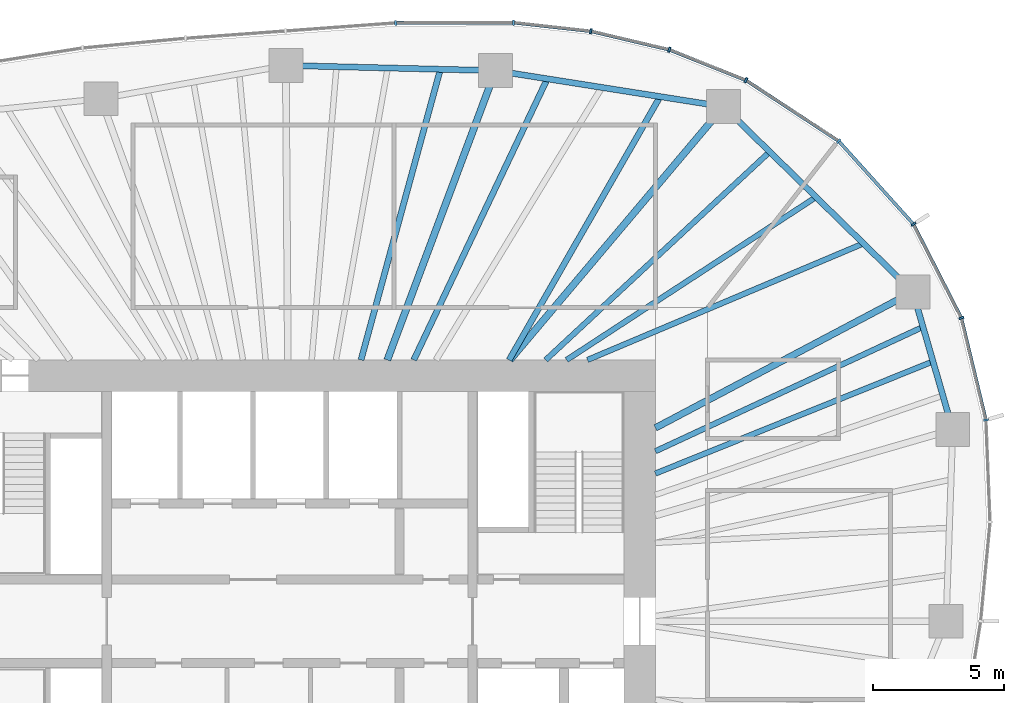
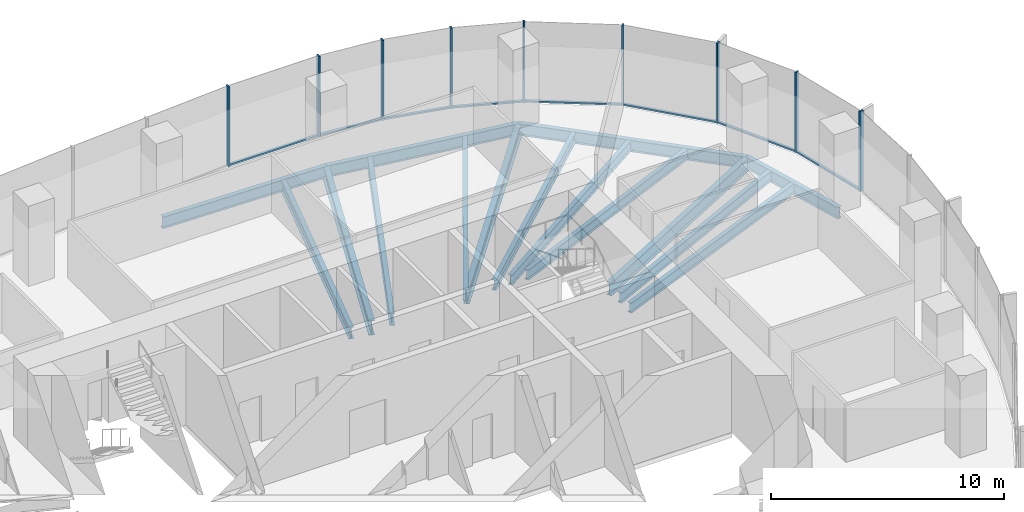
# One storey, part 6 of 12: 17 members, 15 beams, 4 elements without a shape of their own.
"""IFC4 building model written with IfcOpenShell, lengths in metres."""

import ifcopenshell
import ifcopenshell.guid

model = None  # the IFC model being written
_history = None  # IfcOwnerHistory: only IFC2X3 demands one
_inside = {}  # id of a spatial element -> (the spatial element, [elements in it])
_under = {}  # id of a project, library or spatial element -> (it, [spatial elements below it])
_declared = {}  # id of a project -> (the project, [libraries it declares])
_typed = {}  # id of a type object -> (the type object, [elements of that type])
_made_of = {}  # id of a material, layer set ... -> (it, [elements and type objects made of it])


def new_model(schema):
    """Start an empty IFC model of exactly this schema.

    Asked for "IFC4X3", IfcOpenShell would pick the latest addendum, in which some entities
    have other attributes; the version numbers below select the first issue.
    IFC2X3 requires an IfcOwnerHistory on every rooted entity: one is made here for all.
    """
    global model, _history
    if schema == "IFC4X3":
        model = ifcopenshell.file(schema_version=(4, 3, 0, 0))
    else:
        model = ifcopenshell.file(schema=schema)
    _inside.clear()
    _under.clear()
    _declared.clear()
    _typed.clear()
    _made_of.clear()
    _history = None
    if model.schema == "IFC2X3":
        org = make("IfcOrganization", Name="unknown")
        user = make(
            "IfcPersonAndOrganization",
            ThePerson=make("IfcPerson", FamilyName="unknown"),
            TheOrganization=org,
        )
        app = make(
            "IfcApplication",
            ApplicationDeveloper=org,
            Version="unknown",
            ApplicationFullName="unknown",
            ApplicationIdentifier="unknown",
        )
        _history = make(
            "IfcOwnerHistory",
            OwningUser=user,
            OwningApplication=app,
            ChangeAction="ADDED",
            CreationDate=0,
        )
    return model


def make(cls, **values):
    """One entity of the class cls with the attributes given. An attribute that is None is left unset."""
    return model.create_entity(
        cls, **{name: value for name, value in values.items() if value is not None}
    )


def rooted(cls, **values):
    """An entity with a GlobalId (a new one), such as an element, a storey or a relation."""
    return make(cls, GlobalId=ifcopenshell.guid.new(), OwnerHistory=_history, **values)


def si_unit(unit_type, name, prefix=None):
    """IfcSIUnit, for example si_unit("LENGTHUNIT", "METRE", prefix="MILLI")."""
    return make("IfcSIUnit", UnitType=unit_type, Prefix=prefix, Name=name)


def assignment(units):
    """IfcUnitAssignment: the units of a project."""
    return None if units is None else make("IfcUnitAssignment", Units=units)


def point(xyz):
    """IfcCartesianPoint."""
    return None if xyz is None else make("IfcCartesianPoint", Coordinates=xyz)


def direction(xyz):
    """IfcDirection."""
    return None if xyz is None else make("IfcDirection", DirectionRatios=xyz)


def frame(location, z_axis=None, x_axis=None):
    """IfcAxis2Placement3D, a coordinate frame: its origin and axes. An axis left out is left unset."""
    return make(
        "IfcAxis2Placement3D",
        Location=point(location),
        Axis=direction(z_axis),
        RefDirection=direction(x_axis),
    )


def frame_2d(location, x_axis=None):
    """IfcAxis2Placement2D, a coordinate frame in the plane: its origin and x axis."""
    return make(
        "IfcAxis2Placement2D", Location=point(location), RefDirection=direction(x_axis)
    )


def origin():
    """The frame at (0, 0, 0) with its axes left unset."""
    return frame((0.0, 0.0, 0.0))


def origin_2d():
    """The frame at (0, 0) in the plane with its x axis left unset."""
    return frame_2d((0.0, 0.0))


def place(relative_to, where):
    """IfcLocalPlacement: puts the frame where relative to a parent placement (None: the world)."""
    return make(
        "IfcLocalPlacement", PlacementRelTo=relative_to, RelativePlacement=where
    )


def context(
    kind, dimensions, precision=None, world=None, true_north=None, identifier=None
):
    """IfcGeometricRepresentationContext, for example the 3D "Model" context."""
    return make(
        "IfcGeometricRepresentationContext",
        ContextIdentifier=identifier,
        ContextType=kind,
        CoordinateSpaceDimension=dimensions,
        Precision=precision,
        WorldCoordinateSystem=world,
        TrueNorth=true_north,
    )


def subcontext(parent, identifier, kind, view, scale=None):
    """IfcGeometricRepresentationSubContext, for example "Body" below "Model"."""
    return make(
        "IfcGeometricRepresentationSubContext",
        ContextIdentifier=identifier,
        ContextType=kind,
        ParentContext=parent,
        TargetScale=scale,
        TargetView=view,
    )


def project(units=None, contexts=None):
    """IfcProject with its units and contexts."""
    return rooted(
        "IfcProject",
        Name="project",
        RepresentationContexts=contexts,
        UnitsInContext=assignment(units),
    )


def spatial(cls, under=None, at=None, **own):
    """A site, building, storey or space (cls), placed at a placement, below another one or the project."""
    s = rooted(cls, ObjectPlacement=at, **own)
    if under is not None:
        _under.setdefault(under.id(), (under, []))[1].append(s)
    return s


def profile(cls, at=None, kind="AREA", **sizes):
    """A parametric profile (cls). Its sizes go by their IFC names, for example OverallWidth=200.0."""
    return make(cls, ProfileType=kind, Position=at, **sizes)


def rectangle(**sizes):
    """IfcRectangleProfileDef."""
    return profile("IfcRectangleProfileDef", **sizes)


def i_section(**sizes):
    """IfcIShapeProfileDef."""
    return profile("IfcIShapeProfileDef", **sizes)


def extrude(swept, where, along, depth):
    """IfcExtrudedAreaSolid: the profile swept, set in the frame where, extruded along a direction by depth."""
    return make(
        "IfcExtrudedAreaSolid",
        SweptArea=swept,
        Position=where,
        ExtrudedDirection=direction(along),
        Depth=depth,
    )


def shape(context_of_items, identifier, shape_type, items):
    """IfcShapeRepresentation: the items that make up one representation, for example the "Body"."""
    return make(
        "IfcShapeRepresentation",
        ContextOfItems=context_of_items,
        RepresentationIdentifier=identifier,
        RepresentationType=shape_type,
        Items=items,
    )


def material(Name=None, Category=None):
    """IfcMaterial."""
    return make("IfcMaterial", Name=Name, Category=Category)


def material_profile(
    of_material, cross_section, Name=None, Category=None, Priority=None
):
    """IfcMaterialProfile: a cross section and its material."""
    return make(
        "IfcMaterialProfile",
        Name=Name,
        Material=of_material,
        Profile=cross_section,
        Priority=Priority,
        Category=Category,
    )


def profile_set(profiles, Name=None, composite=None):
    """IfcMaterialProfileSet."""
    return make(
        "IfcMaterialProfileSet",
        Name=Name,
        MaterialProfiles=profiles,
        CompositeProfile=composite,
    )


def made_of(thing, what):
    """Note that an element or type object is made of a material, layer set ...; save() writes the relation."""
    if what is not None:
        _made_of.setdefault(what.id(), (what, []))[1].append(thing)
    return thing


def type_object(cls, material=None, **own):
    """A type object (cls), such as IfcWallType, which elements share."""
    return made_of(rooted(cls, **own), material)


def element(
    cls,
    number,
    at=None,
    inside=None,
    cuts=None,
    type_object=None,
    material=None,
    context=None,
    identifier="Body",
    shape_type=None,
    held_by="IfcProductDefinitionShape",
    body=None,
    shapes=None,
    **own,
):
    """One element of the class cls, such as IfcWall. Its Tag is "e" and its number.

    at: its placement. inside: the storey or other place that contains it. cuts: it is an
    opening in that element (IfcRelVoidsElement). A single representation is given by context,
    identifier, shape_type and body (its items); several are given by shapes. held_by: the class
    of the entity that holds the representations. save() writes the other relations.
    """
    e = rooted(cls, Tag="e%d" % number, ObjectPlacement=at, **own)
    if body is not None:
        shapes = [shape(context, identifier, shape_type, body)]
    if shapes is not None:
        e.Representation = make(held_by, Representations=shapes)
    if inside is not None:
        _inside.setdefault(inside.id(), (inside, []))[1].append(e)
    if cuts is not None:
        rooted(
            "IfcRelVoidsElement", RelatingBuildingElement=cuts, RelatedOpeningElement=e
        )
    if type_object is not None:
        _typed.setdefault(type_object.id(), (type_object, []))[1].append(e)
    return made_of(e, material)


def aggregate(whole, parts):
    """IfcRelAggregates: a whole, such as a stair, and the parts it consists of."""
    return rooted("IfcRelAggregates", RelatingObject=whole, RelatedObjects=parts)


def save(model, path):
    """Write the relations noted so far, then the file.

    IfcRelAggregates (storeys below a building ...), IfcRelContainedInSpatialStructure (elements
    in a storey), IfcRelDefinesByType, IfcRelAssociatesMaterial and IfcRelDeclares: one each for
    every whole, place, type object, material and project.
    """
    for whole, parts in _under.values():
        aggregate(whole, parts)
    for where, things in _inside.values():
        rooted(
            "IfcRelContainedInSpatialStructure",
            RelatedElements=things,
            RelatingStructure=where,
        )
    for kind, things in _typed.values():
        rooted("IfcRelDefinesByType", RelatedObjects=things, RelatingType=kind)
    for what, things in _made_of.values():
        rooted("IfcRelAssociatesMaterial", RelatedObjects=things, RelatingMaterial=what)
    for by, libraries in _declared.values():
        rooted("IfcRelDeclares", RelatingContext=by, RelatedDefinitions=libraries)
    model.write(path)


model = new_model("IFC4")

# Units and contexts
model_context = context("Model", 3, precision=1e-05, world=origin(), true_north=direction((0.0, 1.0)))
body_context = subcontext(model_context, "Body", "Model", "MODEL_VIEW")
ifc_project = project(units=[si_unit("LENGTHUNIT", "METRE"), si_unit("AREAUNIT", "SQUARE_METRE"), si_unit("VOLUMEUNIT", "CUBIC_METRE"), si_unit("PLANEANGLEUNIT", "RADIAN"), si_unit("MASSUNIT", "GRAM", prefix="KILO")], contexts=[model_context])

# Site, building, storey
site_placement = place(None, origin())
site = spatial("IfcSite", under=ifc_project, at=site_placement, CompositionType="ELEMENT")
building_placement = place(site_placement, origin())
building = spatial("IfcBuilding", under=site, at=building_placement, Name="Ghaith Harvest Tower", CompositionType="ELEMENT")
storey_placement = place(building_placement, frame((0.0, 0.0, 228.39990234375)))
storey = spatial("IfcBuildingStorey", under=building, at=storey_placement, Name="L50", CompositionType="ELEMENT", Elevation=228.39990234375)

# Curtain wall, members
ifc_material_1 = material(Name="Black anodised aluminium and fritted glass", Category="aluminium")
curtain_wall_type = type_object("IfcCurtainWallType", Name="CW-H CURTAIN WALL", PredefinedType="NOTDEFINED", material=ifc_material_1)
curtain_wall_1_placement = place(storey_placement, origin())
curtain_wall_1 = element("IfcCurtainWall", 1, at=curtain_wall_1_placement, inside=storey, type_object=curtain_wall_type, Name="Curtain wall CW-H bay 02 L50", PredefinedType="NOTDEFINED")
ifc_material_2 = material(Name="Aluminium, black anodised", Category="aluminium")
ifc_material_profile_1 = material_profile(ifc_material_2, rectangle(XDim=0.080078125, YDim=0.199951171875, at=origin_2d()), Name="CW-H MULLION 80x200")
ifc_profile_set_1 = profile_set([ifc_material_profile_1], Name="Aluminium, black anodised")
member_type_1 = type_object("IfcMemberType", Name="CW-H MULLION 80x200", PredefinedType="MULLION", material=ifc_profile_set_1)
member_1_placement = place(storey_placement, frame((26.646484375, 7.701416015625, 0.0), z_axis=(0.0, 0.0, 1.0), x_axis=(-0.139146256981, 0.990271841046, 0.0)))
member_1 = element("IfcMember", 2, at=member_1_placement, type_object=member_type_1, Name="CW-H mullion 1 bay 02 L50", PredefinedType="MULLION", context=body_context, shape_type="SweptSolid", body=[
    extrude(rectangle(XDim=0.080078125, YDim=0.199951171875, at=origin_2d()), origin(), (0.0, 0.0, 1.0), 4.2001953125),
])
member_2_placement = place(storey_placement, frame((25.707275390625, 11.60546875, 0.0), z_axis=(0.0, 0.0, 1.0), x_axis=(-0.347012123561, 0.93786064322, 0.0)))
member_2 = element("IfcMember", 3, at=member_2_placement, type_object=member_type_1, Name="CW-H mullion 2 bay 02 L50", PredefinedType="MULLION", context=body_context, shape_type="SweptSolid", body=[
    extrude(rectangle(XDim=0.080078125, YDim=0.199951171875, at=origin_2d()), origin(), (0.0, 0.0, 1.0), 4.2001953125),
])

curtain_wall_2_placement = place(storey_placement, origin())
curtain_wall_2 = element("IfcCurtainWall", 4, at=curtain_wall_2_placement, inside=storey, type_object=curtain_wall_type, Name="Curtain wall CW-H bay 03 L50", PredefinedType="NOTDEFINED")
member_3_placement = place(storey_placement, frame((23.874267578125, 15.19384765625, 0.0), z_axis=(0.0, 0.0, 1.0), x_axis=(-0.569847382909, 0.821750546207, 0.0)))
member_3 = element("IfcMember", 5, at=member_3_placement, type_object=member_type_1, Name="CW-H mullion 1 bay 03 L50", PredefinedType="MULLION", context=body_context, shape_type="SweptSolid", body=[
    extrude(rectangle(XDim=0.080078125, YDim=0.199951171875, at=origin_2d()), origin(), (0.0, 0.0, 1.0), 4.2001953125),
])
member_4_placement = place(storey_placement, frame((21.013427734375, 18.374267578125, 0.0), z_axis=(0.0, 0.0, 1.0), x_axis=(-0.758541332755, 0.651624927778, 0.0)))
member_4 = element("IfcMember", 6, at=member_4_placement, type_object=member_type_1, Name="CW-H mullion 2 bay 03 L50", PredefinedType="MULLION", context=body_context, shape_type="SweptSolid", body=[
    extrude(rectangle(XDim=0.080078125, YDim=0.199951171875, at=origin_2d()), origin(), (0.0, 0.0, 1.0), 4.2001953125),
])

curtain_wall_3_placement = place(storey_placement, origin())
curtain_wall_3 = element("IfcCurtainWall", 7, at=curtain_wall_3_placement, inside=storey, type_object=curtain_wall_type, Name="Curtain wall CW-H bay 04 L50", PredefinedType="NOTDEFINED")
member_5_placement = place(storey_placement, frame((17.45947265625, 20.704345703125, 0.0), z_axis=(0.0, 0.0, 1.0), x_axis=(-0.880203412003, 0.474596621878, 0.0)))
member_5 = element("IfcMember", 8, at=member_5_placement, type_object=member_type_1, Name="CW-H mullion 1 bay 04 L50", PredefinedType="MULLION", context=body_context, shape_type="SweptSolid", body=[
    extrude(rectangle(XDim=0.080078125, YDim=0.199951171875, at=origin_2d()), origin(), (0.0, 0.0, 1.0), 4.2001953125),
])
member_6_placement = place(storey_placement, frame((14.52734375, 21.871337890625, 0.0), z_axis=(0.0, 0.0, 1.0), x_axis=(-0.953502908871, 0.30138381306, 0.0)))
member_6 = element("IfcMember", 9, at=member_6_placement, type_object=member_type_1, Name="CW-H mullion 2 bay 04 L50", PredefinedType="MULLION", context=body_context, shape_type="SweptSolid", body=[
    extrude(rectangle(XDim=0.080078125, YDim=0.199951171875, at=origin_2d()), origin(), (0.0, 0.0, 1.0), 4.2001953125),
])
member_7_placement = place(storey_placement, frame((11.527099609375, 22.579345703125, 0.0), z_axis=(0.0, 0.0, 1.0), x_axis=(-0.985193373388, 0.171446834417, 0.0)))
member_7 = element("IfcMember", 10, at=member_7_placement, type_object=member_type_1, Name="CW-H mullion 3 bay 04 L50", PredefinedType="MULLION", context=body_context, shape_type="SweptSolid", body=[
    extrude(rectangle(XDim=0.080078125, YDim=0.199951171875, at=origin_2d()), origin(), (0.0, 0.0, 1.0), 4.2001953125),
])

curtain_wall_4_placement = place(storey_placement, origin())
curtain_wall_4 = element("IfcCurtainWall", 11, at=curtain_wall_4_placement, inside=storey, type_object=curtain_wall_type, Name="Curtain wall CW-H bay 05 L50", PredefinedType="NOTDEFINED")
member_8_placement = place(storey_placement, frame((8.564208984375, 22.9091796875, 0.0), z_axis=(0.0, 0.0, 1.0), x_axis=(-0.999083519493, 0.042803283493, 0.0)))
member_8 = element("IfcMember", 12, at=member_8_placement, type_object=member_type_1, Name="CW-H mullion 1 bay 05 L50", PredefinedType="MULLION", context=body_context, shape_type="SweptSolid", body=[
    extrude(rectangle(XDim=0.080078125, YDim=0.199951171875, at=origin_2d()), origin(), (0.0, 0.0, 1.0), 4.2001953125),
])
member_9_placement = place(storey_placement, frame((4.0595703125, 22.8994140625, 0.0), z_axis=(0.0, 0.0, 1.0), x_axis=(-0.999332779724, -0.036523901335, 0.0)))
member_9 = element("IfcMember", 13, at=member_9_placement, type_object=member_type_1, Name="CW-H mullion 2 bay 05 L50", PredefinedType="MULLION", context=body_context, shape_type="SweptSolid", body=[
    extrude(rectangle(XDim=0.080078125, YDim=0.199951171875, at=origin_2d()), origin(), (0.0, 0.0, 1.0), 4.2001953125),
])

# Member
ifc_material_3 = material(Name="Aluminium, black anodised", Category="aluminium")
ifc_material_profile_2 = material_profile(ifc_material_3, rectangle(XDim=0.1298828125, YDim=0.080078125, at=origin_2d()), Name="CW-H TRANSOM 130x80")
ifc_profile_set_2 = profile_set([ifc_material_profile_2], Name="Aluminium, black anodised")
member_type_2 = type_object("IfcMemberType", Name="CW-H TRANSOM 130x80", PredefinedType="USERDEFINED", material=ifc_profile_set_2)
member_10_placement = place(storey_placement, frame((26.636962890625, 7.740234375, 0.0400390625), z_axis=(-0.233870324689, 0.972267798104, 0.0), x_axis=(-0.972267798104, -0.233870324689, 0.0)))
member_10 = element("IfcMember", 14, at=member_10_placement, type_object=member_type_2, Name="CW-H transom 1 bay 02 L50", ObjectType="TRANSOM", PredefinedType="USERDEFINED", context=body_context, shape_type="SweptSolid", body=[
    extrude(rectangle(XDim=0.1298828125, YDim=0.080078125, at=origin_2d()), origin(), (0.0, 0.0, 1.0), 3.935546875),
])

member_11_placement = place(storey_placement, frame((25.68896484375, 11.64111328125, 0.0400390625), z_axis=(-0.454911728312, 0.890536534592, 0.0), x_axis=(-0.890536534592, -0.454911728312, 0.0)))
member_11 = element("IfcMember", 15, at=member_11_placement, type_object=member_type_2, Name="CW-H transom 2 bay 02 L50", ObjectType="TRANSOM", PredefinedType="USERDEFINED", context=body_context, shape_type="SweptSolid", body=[
    extrude(rectangle(XDim=0.1298828125, YDim=0.080078125, at=origin_2d()), origin(), (0.0, 0.0, 1.0), 3.949462890625),
])

aggregate(curtain_wall_1, [member_1, member_10, member_2, member_11])

member_12_placement = place(storey_placement, frame((23.847412109375, 15.223388671875, 0.0400390625), z_axis=(-0.668752638518, 0.743484975286, 0.0), x_axis=(-0.743484975286, -0.668752638518, 0.0)))
member_12 = element("IfcMember", 16, at=member_12_placement, type_object=member_type_2, Name="CW-H transom 1 bay 03 L50", ObjectType="TRANSOM", PredefinedType="USERDEFINED", context=body_context, shape_type="SweptSolid", body=[
    extrude(rectangle(XDim=0.1298828125, YDim=0.080078125, at=origin_2d()), origin(), (0.0, 0.0, 1.0), 4.197998046875),
])

member_13_placement = place(storey_placement, frame((20.97998046875, 18.39599609375, 0.0400390625), z_axis=(-0.836268574396, 0.548320044753, 0.0), x_axis=(-0.548320044753, -0.836268574396, 0.0)))
member_13 = element("IfcMember", 17, at=member_13_placement, type_object=member_type_2, Name="CW-H transom 2 bay 03 L50", ObjectType="TRANSOM", PredefinedType="USERDEFINED", context=body_context, shape_type="SweptSolid", body=[
    extrude(rectangle(XDim=0.1298828125, YDim=0.080078125, at=origin_2d()), origin(), (0.0, 0.0, 1.0), 4.169677734375),
])

aggregate(curtain_wall_2, [member_3, member_12, member_4, member_13])

member_14_placement = place(storey_placement, frame((17.42236328125, 20.71923828125, 0.0400390625), z_axis=(-0.929115751434, 0.369789021521, 0.0), x_axis=(-0.369789021521, -0.929115751434, 0.0)))
member_14 = element("IfcMember", 18, at=member_14_placement, type_object=member_type_2, Name="CW-H transom 1 bay 04 L50", ObjectType="TRANSOM", PredefinedType="USERDEFINED", context=body_context, shape_type="SweptSolid", body=[
    extrude(rectangle(XDim=0.1298828125, YDim=0.080078125, at=origin_2d()), origin(), (0.0, 0.0, 1.0), 3.075927734375),
])

member_15_placement = place(storey_placement, frame((14.48828125, 21.880615234375, 0.0400390625), z_axis=(-0.97325803677, 0.229714592186, 0.0), x_axis=(-0.229714592186, -0.97325803677, 0.0)))
member_15 = element("IfcMember", 19, at=member_15_placement, type_object=member_type_2, Name="CW-H transom 2 bay 04 L50", ObjectType="TRANSOM", PredefinedType="USERDEFINED", context=body_context, shape_type="SweptSolid", body=[
    extrude(rectangle(XDim=0.1298828125, YDim=0.080078125, at=origin_2d()), origin(), (0.0, 0.0, 1.0), 3.00244140625),
])

member_16_placement = place(storey_placement, frame((11.4873046875, 22.583984375, 0.0400390625), z_axis=(-0.993867303252, 0.110579308762, 0.0), x_axis=(-0.110579308762, -0.993867303252, 0.0)))
member_16 = element("IfcMember", 20, at=member_16_placement, type_object=member_type_2, Name="CW-H transom 3 bay 04 L50", ObjectType="TRANSOM", PredefinedType="USERDEFINED", context=body_context, shape_type="SweptSolid", body=[
    extrude(rectangle(XDim=0.1298828125, YDim=0.080078125, at=origin_2d()), origin(), (0.0, 0.0, 1.0), 2.901123046875),
])

aggregate(curtain_wall_3, [member_5, member_14, member_6, member_15, member_7, member_16])

member_17_placement = place(storey_placement, frame((8.524169921875, 22.9091796875, 0.0400390625), z_axis=(-0.999997564275, -0.002207134722, 0.0), x_axis=(0.002207134722, -0.999997564275, 0.0)))
member_17 = element("IfcMember", 21, at=member_17_placement, type_object=member_type_2, Name="CW-H transom 1 bay 05 L50", ObjectType="TRANSOM", PredefinedType="USERDEFINED", context=body_context, shape_type="SweptSolid", body=[
    extrude(rectangle(XDim=0.1298828125, YDim=0.080078125, at=origin_2d()), origin(), (0.0, 0.0, 1.0), 4.424560546875),
])

aggregate(curtain_wall_4, [member_8, member_17, member_9])

# Beams
ifc_material_4 = material(Name="Steel ASTM A992 Grade 50", Category="steel")
ifc_material_profile_3 = material_profile(ifc_material_4, i_section(OverallWidth=0.22900390625, OverallDepth=0.612060546875, WebThickness=0.011962890625, FlangeThickness=0.01953125, at=origin_2d()), Name="W610X125")
ifc_profile_set_3 = profile_set([ifc_material_profile_3], Name="Steel ASTM A992 Grade 50")
beam_type_1 = type_object("IfcBeamType", Name="E610-125 W610X125", PredefinedType="SPANDREL", material=ifc_profile_set_3)
beam_1_placement = place(storey_placement, frame((25.3779296875, 7.3349609375, -0.475830078125), z_axis=(-0.278021352648, 0.960574894254, 0.0), x_axis=(-0.960574894254, -0.278021352648, 0.0)))
element("IfcBeam", 22, at=beam_1_placement, inside=storey, type_object=beam_type_1, Name="Edge beam E02 L50", PredefinedType="SPANDREL", context=body_context, shape_type="SweptSolid", body=[
    extrude(i_section(OverallWidth=0.22900390625, OverallDepth=0.612060546875, WebThickness=0.011962890625, FlangeThickness=0.01953125, at=origin_2d()), origin(), (0.0, 0.0, 1.0), 5.48828125),
])
beam_2_placement = place(storey_placement, frame((23.85205078125, 12.60693359375, -0.475830078125), z_axis=(-0.714761249388, 0.699368541166, 0.0), x_axis=(-0.699368541166, -0.714761249388, 0.0)))
element("IfcBeam", 23, at=beam_2_placement, inside=storey, type_object=beam_type_1, Name="Edge beam E03 L50", PredefinedType="SPANDREL", context=body_context, shape_type="SweptSolid", body=[
    extrude(i_section(OverallWidth=0.22900390625, OverallDepth=0.612060546875, WebThickness=0.011962890625, FlangeThickness=0.01953125, at=origin_2d()), origin(), (0.0, 0.0, 1.0), 10.135009765625),
])
beam_3_placement = place(storey_placement, frame((16.60791015625, 19.695068359375, -0.475830078125), z_axis=(-0.987788485872, 0.155800857439, 0.0), x_axis=(-0.155800857439, -0.987788485872, 0.0)))
element("IfcBeam", 24, at=beam_3_placement, inside=storey, type_object=beam_type_1, Name="Edge beam E04 L50", PredefinedType="SPANDREL", context=body_context, shape_type="SweptSolid", body=[
    extrude(i_section(OverallWidth=0.22900390625, OverallDepth=0.612060546875, WebThickness=0.011962890625, FlangeThickness=0.01953125, at=origin_2d()), origin(), (0.0, 0.0, 1.0), 8.837890625),
])
beam_4_placement = place(storey_placement, frame((7.8779296875, 21.072021484375, -0.475830078125), z_axis=(-0.999692679676, 0.024790042413, 0.0), x_axis=(-0.024790042413, -0.999692679676, 0.0)))
element("IfcBeam", 25, at=beam_4_placement, inside=storey, type_object=beam_type_1, Name="Edge beam E05 L50", PredefinedType="SPANDREL", context=body_context, shape_type="SweptSolid", body=[
    extrude(i_section(OverallWidth=0.22900390625, OverallDepth=0.612060546875, WebThickness=0.011962890625, FlangeThickness=0.01953125, at=origin_2d()), origin(), (0.0, 0.0, 1.0), 8.0263671875),
])
ifc_material_5 = material(Name="Steel ASTM A992 Grade 50", Category="steel")
ifc_material_profile_4 = material_profile(ifc_material_5, i_section(OverallWidth=0.256103515625, OverallDepth=0.693115234375, WebThickness=0.014404296875, FlangeThickness=0.023681640625, at=origin_2d()), Name="W690X170")
ifc_profile_set_4 = profile_set([ifc_material_profile_4], Name="Steel ASTM A992 Grade 50")
beam_type_2 = type_object("IfcBeamType", Name="G690-170 W690X170", PredefinedType="BEAM", material=ifc_profile_set_4)
beam_5_placement = place(storey_placement, frame((14.0, 7.39990234375, -0.516357421875), z_axis=(0.884112784119, 0.467273565438, 0.0), x_axis=(-0.467273565438, 0.884112784119, 0.0)))
element("IfcBeam", 26, at=beam_5_placement, inside=storey, type_object=beam_type_2, Name="Radial girder G03 L50", PredefinedType="BEAM", context=body_context, shape_type="SweptSolid", body=[
    extrude(i_section(OverallWidth=0.256103515625, OverallDepth=0.693115234375, WebThickness=0.014404296875, FlangeThickness=0.023681640625, at=origin_2d()), origin(), (0.0, 0.0, 1.0), 11.143310546875),
])
ifc_material_6 = material(Name="Steel ASTM A992 Grade 50", Category="steel")
ifc_material_profile_5 = material_profile(ifc_material_6, i_section(OverallWidth=0.26806640625, OverallDepth=0.77001953125, WebThickness=0.015625, FlangeThickness=0.025390625, at=origin_2d()), Name="W760X196")
ifc_profile_set_5 = profile_set([ifc_material_profile_5], Name="Steel ASTM A992 Grade 50")
beam_type_3 = type_object("IfcBeamType", Name="G760-196 W760X196", PredefinedType="BEAM", material=ifc_profile_set_5)
beam_6_placement = place(storey_placement, frame((8.4326171875, 10.0, -0.554931640625), z_axis=(0.644644245772, 0.764482698557, 0.0), x_axis=(-0.764482698557, 0.644644245772, 0.0)))
element("IfcBeam", 27, at=beam_6_placement, inside=storey, type_object=beam_type_3, Name="Radial girder G04 L50", PredefinedType="BEAM", context=body_context, shape_type="SweptSolid", body=[
    extrude(i_section(OverallWidth=0.26806640625, OverallDepth=0.77001953125, WebThickness=0.015625, FlangeThickness=0.025390625, at=origin_2d()), origin(), (0.0, 0.0, 1.0), 12.681884765625),
])
beam_7_placement = place(storey_placement, frame((3.73828125, 10.0, -0.554931640625), z_axis=(0.350206582147, 0.936672488024, 0.0), x_axis=(-0.936672488024, 0.350206582147, 0.0)))
element("IfcBeam", 28, at=beam_7_placement, inside=storey, type_object=beam_type_3, Name="Radial girder G05 L50", PredefinedType="BEAM", context=body_context, shape_type="SweptSolid", body=[
    extrude(i_section(OverallWidth=0.26806640625, OverallDepth=0.77001953125, WebThickness=0.015625, FlangeThickness=0.025390625, at=origin_2d()), origin(), (0.0, 0.0, 1.0), 11.820556640625),
])
ifc_material_7 = material(Name="Steel ASTM A992 Grade 50", Category="steel")
ifc_material_profile_6 = material_profile(ifc_material_7, i_section(OverallWidth=0.2109375, OverallDepth=0.5390625, WebThickness=0.01171875, FlangeThickness=0.018798828125, at=origin_2d()), Name="W530X109")
ifc_profile_set_6 = profile_set([ifc_material_profile_6], Name="Steel ASTM A992 Grade 50")
beam_type_4 = type_object("IfcBeamType", Name="J530-109 W530X109", PredefinedType="JOIST", material=ifc_profile_set_6)
beam_8_placement = place(storey_placement, frame((14.0, 5.653564453125, -0.439453125), z_axis=(0.927250374508, 0.37444190868, 0.0), x_axis=(-0.37444190868, 0.927250374508, 0.0)))
element("IfcBeam", 29, at=beam_8_placement, inside=storey, type_object=beam_type_4, Name="Joist J02.2 L50", PredefinedType="JOIST", context=body_context, shape_type="SweptSolid", body=[
    extrude(i_section(OverallWidth=0.2109375, OverallDepth=0.5390625, WebThickness=0.01171875, FlangeThickness=0.018798828125, at=origin_2d()), origin(), (0.0, 0.0, 1.0), 11.45654296875),
])
beam_9_placement = place(storey_placement, frame((14.0, 6.506103515625, -0.439453125), z_axis=(0.906864105655, 0.421423176718, 0.0), x_axis=(-0.421423176718, 0.906864105655, 0.0)))
element("IfcBeam", 30, at=beam_9_placement, inside=storey, type_object=beam_type_4, Name="Joist J02.3 L50", PredefinedType="JOIST", context=body_context, shape_type="SweptSolid", body=[
    extrude(i_section(OverallWidth=0.2109375, OverallDepth=0.5390625, WebThickness=0.01171875, FlangeThickness=0.018798828125, at=origin_2d()), origin(), (0.0, 0.0, 1.0), 11.292236328125),
])
beam_10_placement = place(storey_placement, frame((11.39990234375, 10.0, -0.439453125), z_axis=(0.92127415213, 0.388913790727, 0.0), x_axis=(-0.388913790727, 0.92127415213, 0.0)))
element("IfcBeam", 31, at=beam_10_placement, inside=storey, type_object=beam_type_4, Name="Joist J03.1 L50", PredefinedType="JOIST", context=body_context, shape_type="SweptSolid", body=[
    extrude(i_section(OverallWidth=0.2109375, OverallDepth=0.5390625, WebThickness=0.01171875, FlangeThickness=0.018798828125, at=origin_2d()), origin(), (0.0, 0.0, 1.0), 11.462646484375),
])
beam_11_placement = place(storey_placement, frame((10.60009765625, 10.0, -0.439453125), z_axis=(0.837329320942, 0.546698827775, 0.0), x_axis=(-0.546698827775, 0.837329320942, 0.0)))
element("IfcBeam", 32, at=beam_11_placement, inside=storey, type_object=beam_type_4, Name="Joist J03.2 L50", PredefinedType="JOIST", context=body_context, shape_type="SweptSolid", body=[
    extrude(i_section(OverallWidth=0.2109375, OverallDepth=0.5390625, WebThickness=0.01171875, FlangeThickness=0.018798828125, at=origin_2d()), origin(), (0.0, 0.0, 1.0), 11.40087890625),
])
beam_12_placement = place(storey_placement, frame((9.800048828125, 10.0, -0.439453125), z_axis=(0.732519288302, 0.680746275984, 0.0), x_axis=(-0.680746275984, 0.732519288302, 0.0)))
element("IfcBeam", 33, at=beam_12_placement, inside=storey, type_object=beam_type_4, Name="Joist J03.3 L50", PredefinedType="JOIST", context=body_context, shape_type="SweptSolid", body=[
    extrude(i_section(OverallWidth=0.2109375, OverallDepth=0.5390625, WebThickness=0.01171875, FlangeThickness=0.018798828125, at=origin_2d()), origin(), (0.0, 0.0, 1.0), 11.7041015625),
])
ifc_material_8 = material(Name="Steel ASTM A992 Grade 50", Category="steel")
ifc_material_profile_7 = material_profile(ifc_material_8, i_section(OverallWidth=0.22900390625, OverallDepth=0.612060546875, WebThickness=0.011962890625, FlangeThickness=0.01953125, at=origin_2d()), Name="W610X125")
ifc_profile_set_7 = profile_set([ifc_material_profile_7], Name="Steel ASTM A992 Grade 50")
beam_type_5 = type_object("IfcBeamType", Name="J610-125 W610X125", PredefinedType="JOIST", material=ifc_profile_set_7)
beam_13_placement = place(storey_placement, frame((8.39990234375, 10.0, -0.475830078125), z_axis=(0.497444212127, 0.867495968764, 0.0), x_axis=(-0.867495968764, 0.497444212127, 0.0)))
element("IfcBeam", 34, at=beam_13_placement, inside=storey, type_object=beam_type_5, Name="Joist J04.1 L50", PredefinedType="JOIST", context=body_context, shape_type="SweptSolid", body=[
    extrude(i_section(OverallWidth=0.22900390625, OverallDepth=0.612060546875, WebThickness=0.011962890625, FlangeThickness=0.01953125, at=origin_2d()), origin(), (0.0, 0.0, 1.0), 11.617431640625),
])
beam_14_placement = place(storey_placement, frame((4.75, 10.0, -0.475830078125), z_axis=(0.429069356877, 0.903271546651, 0.0), x_axis=(-0.903271546651, 0.429069356877, 0.0)))
element("IfcBeam", 35, at=beam_14_placement, inside=storey, type_object=beam_type_5, Name="Joist J04.3 L50", PredefinedType="JOIST", context=body_context, shape_type="SweptSolid", body=[
    extrude(i_section(OverallWidth=0.22900390625, OverallDepth=0.612060546875, WebThickness=0.011962890625, FlangeThickness=0.01953125, at=origin_2d()), origin(), (0.0, 0.0, 1.0), 11.911376953125),
])
beam_15_placement = place(storey_placement, frame((2.73095703125, 10.0, -0.475830078125), z_axis=(0.263455967932, 0.964671422279, 0.0), x_axis=(-0.964671422279, 0.263455967932, 0.0)))
element("IfcBeam", 36, at=beam_15_placement, inside=storey, type_object=beam_type_5, Name="Joist J05.1 L50", PredefinedType="JOIST", context=body_context, shape_type="SweptSolid", body=[
    extrude(i_section(OverallWidth=0.22900390625, OverallDepth=0.612060546875, WebThickness=0.011962890625, FlangeThickness=0.01953125, at=origin_2d()), origin(), (0.0, 0.0, 1.0), 11.53173828125),
])

save(model, "model.ifc")
